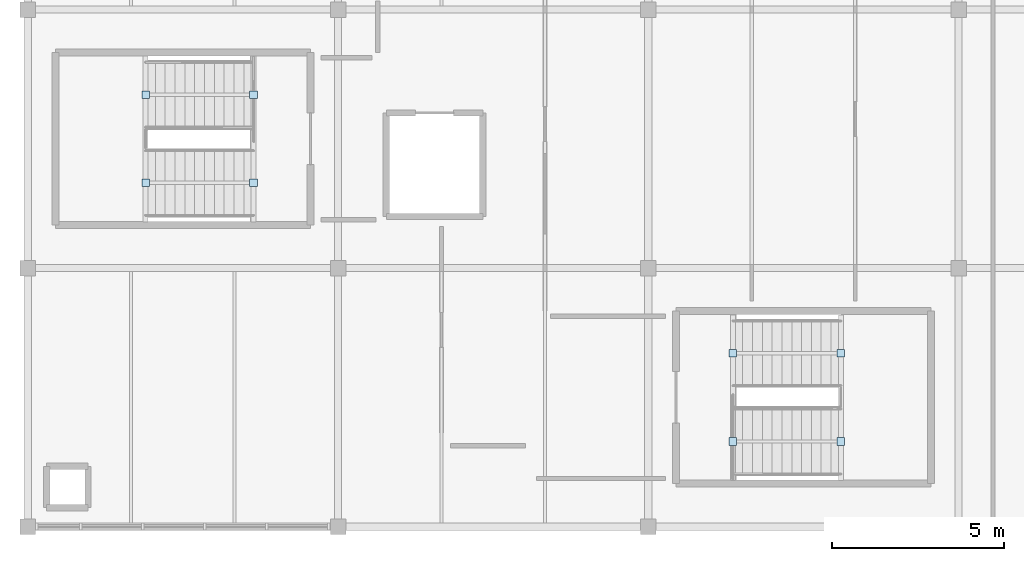
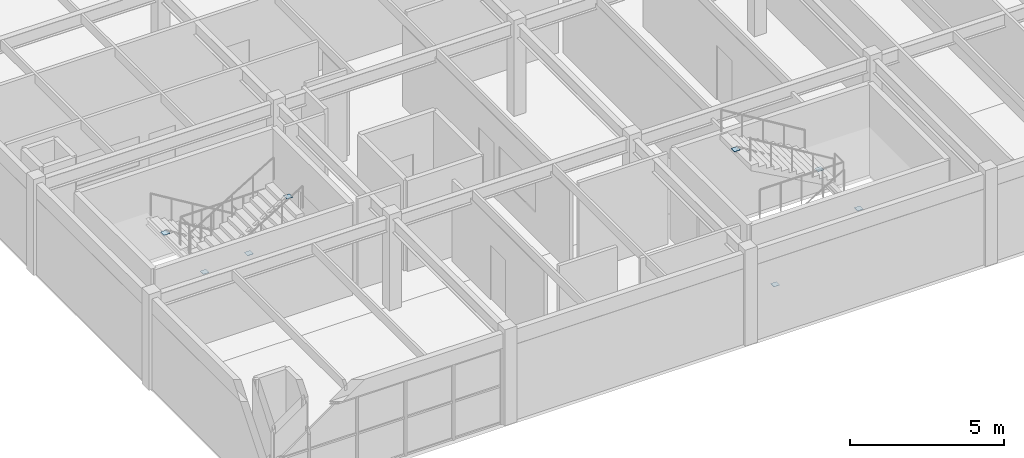
# One storey, part 31 of 45: 8 plates.
"""IFC4 building model written with IfcOpenShell, lengths in metres."""

import ifcopenshell
import ifcopenshell.guid

model = None  # the IFC model being written
_history = None  # IfcOwnerHistory: only IFC2X3 demands one
_inside = {}  # id of a spatial element -> (the spatial element, [elements in it])
_under = {}  # id of a project, library or spatial element -> (it, [spatial elements below it])
_declared = {}  # id of a project -> (the project, [libraries it declares])
_typed = {}  # id of a type object -> (the type object, [elements of that type])
_made_of = {}  # id of a material, layer set ... -> (it, [elements and type objects made of it])


def new_model(schema):
    """Start an empty IFC model of exactly this schema.

    Asked for "IFC4X3", IfcOpenShell would pick the latest addendum, in which some entities
    have other attributes; the version numbers below select the first issue.
    IFC2X3 requires an IfcOwnerHistory on every rooted entity: one is made here for all.
    """
    global model, _history
    if schema == "IFC4X3":
        model = ifcopenshell.file(schema_version=(4, 3, 0, 0))
    else:
        model = ifcopenshell.file(schema=schema)
    _inside.clear()
    _under.clear()
    _declared.clear()
    _typed.clear()
    _made_of.clear()
    _history = None
    if model.schema == "IFC2X3":
        org = make("IfcOrganization", Name="unknown")
        user = make(
            "IfcPersonAndOrganization",
            ThePerson=make("IfcPerson", FamilyName="unknown"),
            TheOrganization=org,
        )
        app = make(
            "IfcApplication",
            ApplicationDeveloper=org,
            Version="unknown",
            ApplicationFullName="unknown",
            ApplicationIdentifier="unknown",
        )
        _history = make(
            "IfcOwnerHistory",
            OwningUser=user,
            OwningApplication=app,
            ChangeAction="ADDED",
            CreationDate=0,
        )
    return model


def make(cls, **values):
    """One entity of the class cls with the attributes given. An attribute that is None is left unset."""
    return model.create_entity(
        cls, **{name: value for name, value in values.items() if value is not None}
    )


def rooted(cls, **values):
    """An entity with a GlobalId (a new one), such as an element, a storey or a relation."""
    return make(cls, GlobalId=ifcopenshell.guid.new(), OwnerHistory=_history, **values)


def si_unit(unit_type, name, prefix=None):
    """IfcSIUnit, for example si_unit("LENGTHUNIT", "METRE", prefix="MILLI")."""
    return make("IfcSIUnit", UnitType=unit_type, Prefix=prefix, Name=name)


def assignment(units):
    """IfcUnitAssignment: the units of a project."""
    return None if units is None else make("IfcUnitAssignment", Units=units)


def point(xyz):
    """IfcCartesianPoint."""
    return None if xyz is None else make("IfcCartesianPoint", Coordinates=xyz)


def direction(xyz):
    """IfcDirection."""
    return None if xyz is None else make("IfcDirection", DirectionRatios=xyz)


def frame(location, z_axis=None, x_axis=None):
    """IfcAxis2Placement3D, a coordinate frame: its origin and axes. An axis left out is left unset."""
    return make(
        "IfcAxis2Placement3D",
        Location=point(location),
        Axis=direction(z_axis),
        RefDirection=direction(x_axis),
    )


def frame_2d(location, x_axis=None):
    """IfcAxis2Placement2D, a coordinate frame in the plane: its origin and x axis."""
    return make(
        "IfcAxis2Placement2D", Location=point(location), RefDirection=direction(x_axis)
    )


def origin():
    """The frame at (0, 0, 0) with its axes left unset."""
    return frame((0.0, 0.0, 0.0))


def origin_2d():
    """The frame at (0, 0) in the plane with its x axis left unset."""
    return frame_2d((0.0, 0.0))


def place(relative_to, where):
    """IfcLocalPlacement: puts the frame where relative to a parent placement (None: the world)."""
    return make(
        "IfcLocalPlacement", PlacementRelTo=relative_to, RelativePlacement=where
    )


def context(
    kind, dimensions, precision=None, world=None, true_north=None, identifier=None
):
    """IfcGeometricRepresentationContext, for example the 3D "Model" context."""
    return make(
        "IfcGeometricRepresentationContext",
        ContextIdentifier=identifier,
        ContextType=kind,
        CoordinateSpaceDimension=dimensions,
        Precision=precision,
        WorldCoordinateSystem=world,
        TrueNorth=true_north,
    )


def subcontext(parent, identifier, kind, view, scale=None):
    """IfcGeometricRepresentationSubContext, for example "Body" below "Model"."""
    return make(
        "IfcGeometricRepresentationSubContext",
        ContextIdentifier=identifier,
        ContextType=kind,
        ParentContext=parent,
        TargetScale=scale,
        TargetView=view,
    )


def project(units=None, contexts=None):
    """IfcProject with its units and contexts."""
    return rooted(
        "IfcProject",
        Name="project",
        RepresentationContexts=contexts,
        UnitsInContext=assignment(units),
    )


def spatial(cls, under=None, at=None, **own):
    """A site, building, storey or space (cls), placed at a placement, below another one or the project."""
    s = rooted(cls, ObjectPlacement=at, **own)
    if under is not None:
        _under.setdefault(under.id(), (under, []))[1].append(s)
    return s


def profile(cls, at=None, kind="AREA", **sizes):
    """A parametric profile (cls). Its sizes go by their IFC names, for example OverallWidth=200.0."""
    return make(cls, ProfileType=kind, Position=at, **sizes)


def rectangle(**sizes):
    """IfcRectangleProfileDef."""
    return profile("IfcRectangleProfileDef", **sizes)


def extrude(swept, where, along, depth):
    """IfcExtrudedAreaSolid: the profile swept, set in the frame where, extruded along a direction by depth."""
    return make(
        "IfcExtrudedAreaSolid",
        SweptArea=swept,
        Position=where,
        ExtrudedDirection=direction(along),
        Depth=depth,
    )


def shape(context_of_items, identifier, shape_type, items):
    """IfcShapeRepresentation: the items that make up one representation, for example the "Body"."""
    return make(
        "IfcShapeRepresentation",
        ContextOfItems=context_of_items,
        RepresentationIdentifier=identifier,
        RepresentationType=shape_type,
        Items=items,
    )


def material(Name=None, Category=None):
    """IfcMaterial."""
    return make("IfcMaterial", Name=Name, Category=Category)


def layer(
    of_material, thickness, ventilated=None, Name=None, Category=None, Priority=None
):
    """IfcMaterialLayer: one layer of a wall or slab, of a material (None: an air gap)."""
    return make(
        "IfcMaterialLayer",
        Material=of_material,
        LayerThickness=thickness,
        IsVentilated=ventilated,
        Name=Name,
        Category=Category,
        Priority=Priority,
    )


def layer_set(layers, Name=None):
    """IfcMaterialLayerSet."""
    return make("IfcMaterialLayerSet", MaterialLayers=layers, LayerSetName=Name)


def made_of(thing, what):
    """Note that an element or type object is made of a material, layer set ...; save() writes the relation."""
    if what is not None:
        _made_of.setdefault(what.id(), (what, []))[1].append(thing)
    return thing


def type_object(cls, material=None, **own):
    """A type object (cls), such as IfcWallType, which elements share."""
    return made_of(rooted(cls, **own), material)


def element(
    cls,
    number,
    at=None,
    inside=None,
    cuts=None,
    type_object=None,
    material=None,
    context=None,
    identifier="Body",
    shape_type=None,
    held_by="IfcProductDefinitionShape",
    body=None,
    shapes=None,
    **own,
):
    """One element of the class cls, such as IfcWall. Its Tag is "e" and its number.

    at: its placement. inside: the storey or other place that contains it. cuts: it is an
    opening in that element (IfcRelVoidsElement). A single representation is given by context,
    identifier, shape_type and body (its items); several are given by shapes. held_by: the class
    of the entity that holds the representations. save() writes the other relations.
    """
    e = rooted(cls, Tag="e%d" % number, ObjectPlacement=at, **own)
    if body is not None:
        shapes = [shape(context, identifier, shape_type, body)]
    if shapes is not None:
        e.Representation = make(held_by, Representations=shapes)
    if inside is not None:
        _inside.setdefault(inside.id(), (inside, []))[1].append(e)
    if cuts is not None:
        rooted(
            "IfcRelVoidsElement", RelatingBuildingElement=cuts, RelatedOpeningElement=e
        )
    if type_object is not None:
        _typed.setdefault(type_object.id(), (type_object, []))[1].append(e)
    return made_of(e, material)


def aggregate(whole, parts):
    """IfcRelAggregates: a whole, such as a stair, and the parts it consists of."""
    return rooted("IfcRelAggregates", RelatingObject=whole, RelatedObjects=parts)


def save(model, path):
    """Write the relations noted so far, then the file.

    IfcRelAggregates (storeys below a building ...), IfcRelContainedInSpatialStructure (elements
    in a storey), IfcRelDefinesByType, IfcRelAssociatesMaterial and IfcRelDeclares: one each for
    every whole, place, type object, material and project.
    """
    for whole, parts in _under.values():
        aggregate(whole, parts)
    for where, things in _inside.values():
        rooted(
            "IfcRelContainedInSpatialStructure",
            RelatedElements=things,
            RelatingStructure=where,
        )
    for kind, things in _typed.values():
        rooted("IfcRelDefinesByType", RelatedObjects=things, RelatingType=kind)
    for what, things in _made_of.values():
        rooted("IfcRelAssociatesMaterial", RelatedObjects=things, RelatingMaterial=what)
    for by, libraries in _declared.values():
        rooted("IfcRelDeclares", RelatingContext=by, RelatedDefinitions=libraries)
    model.write(path)


model = new_model("IFC4")

# Units and contexts
model_context = context("Model", 3, precision=1e-05, world=origin(), true_north=direction((0.0, 1.0)))
body_context = subcontext(model_context, "Body", "Model", "MODEL_VIEW")
ifc_project = project(units=[si_unit("LENGTHUNIT", "METRE"), si_unit("AREAUNIT", "SQUARE_METRE"), si_unit("VOLUMEUNIT", "CUBIC_METRE"), si_unit("PLANEANGLEUNIT", "RADIAN"), si_unit("MASSUNIT", "GRAM", prefix="KILO")], contexts=[model_context])

# Site, building, storey
site_placement = place(None, origin())
site = spatial("IfcSite", under=ifc_project, at=site_placement, CompositionType="ELEMENT")
building_placement = place(site_placement, origin())
building = spatial("IfcBuilding", under=site, at=building_placement, Name="Marnridge Secondary College", CompositionType="ELEMENT")
storey_placement = place(building_placement, frame((0.0, 0.0, 12.300048828125)))
storey = spatial("IfcBuildingStorey", under=building, at=storey_placement, Name="L03", CompositionType="ELEMENT", Elevation=12.300048828125)

# Plates
ifc_material = material(Name="Structural steel plate Grade 350 (AS/NZS 3678, fy = 350 MPa <=12mm, 340 MPa 12-20mm, 330 MPa 20-50mm)", Category="steel")
ifc_layer = layer(ifc_material, 0.010009765625)
ifc_layer_set = layer_set([ifc_layer], Name="PT-CAP-INT")
plate_type = type_object("IfcPlateType", Name="PT-CAP-INT", PredefinedType="SHEET", material=ifc_layer_set)
for number, where, z_axis, x_axis, name in (
    (1, (6.54833984375, 12.530029296875, -0.1220703125), (0.0, 0.0, 1.0), (-1.0, 0.0, 0.0), "Tube end cap STR-027-EC1"),
    (2, (3.416748046875, 12.530029296875, 1.7861328125), (0.0, 0.0, 1.0), (-1.0, 0.0, 0.0), "Tube end cap STR-027-EC2"),
    (3, (3.416748046875, 9.969970703125, 1.7880859375), (0.0, 0.0, 1.0), (1.0, 0.0, 0.0), "Tube end cap STR-028-EC1"),
    (4, (6.54833984375, 9.969970703125, 3.67578125), (0.0, 0.0, 1.0), (1.0, 0.0, 0.0), "Tube end cap STR-028-EC2"),
    (5, (20.45166015625, 2.469970703125, -0.1220703125), (0.0, 0.0, 1.0), (1.0, 0.0, 0.0), "Tube end cap STR-035-EC1"),
    (6, (23.583251953125, 2.469970703125, 1.7861328125), (0.0, 0.0, 1.0), (1.0, 0.0, 0.0), "Tube end cap STR-035-EC2"),
    (7, (23.583251953125, 5.030029296875, 1.7880859375), (0.0, 0.0, 1.0), (-1.0, 0.0, 0.0), "Tube end cap STR-036-EC1"),
    (8, (20.45166015625, 5.030029296875, 3.67578125), (0.0, 0.0, 1.0), (-1.0, 0.0, 0.0), "Tube end cap STR-036-EC2"),
):
    element("IfcPlate", number, at=place(storey_placement, frame(where, z_axis=z_axis, x_axis=x_axis)), inside=storey, type_object=plate_type, Name=name, PredefinedType="SHEET", context=body_context, shape_type="SweptSolid", body=[
        extrude(rectangle(XDim=0.219970703125, YDim=0.219970703125, at=origin_2d()), origin(), (0.0, 0.0, 1.0), 0.010009765625),
    ])

save(model, "model.ifc")
